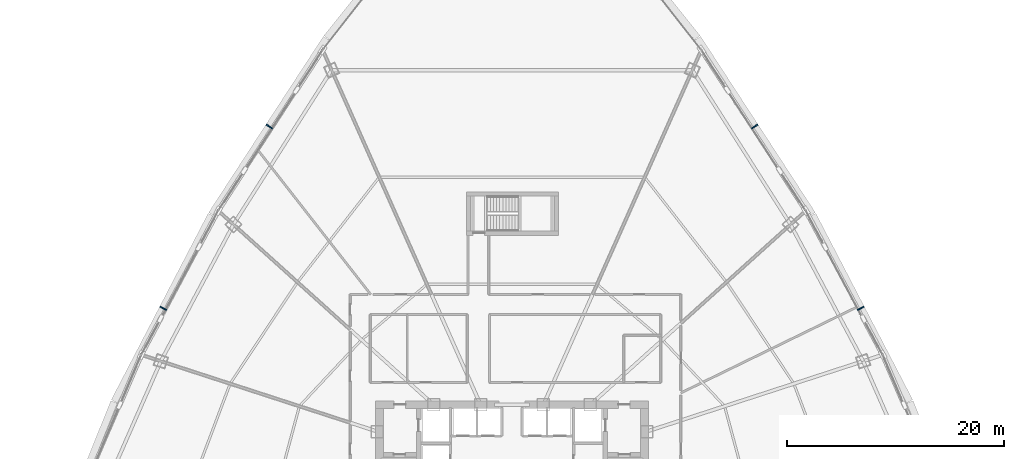
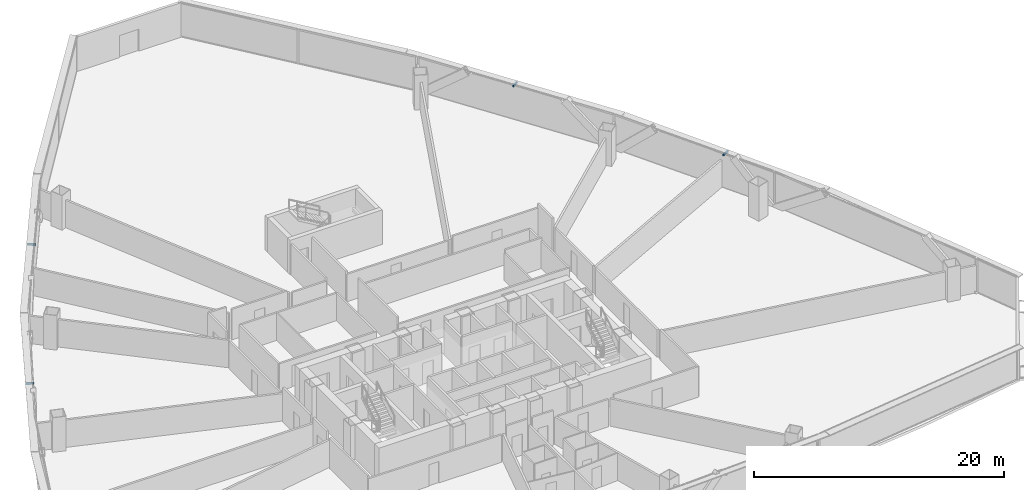
# One storey, part 34 of 38: 4 discrete accessories.
"""IFC4 building model written with IfcOpenShell, lengths in metres."""

from ifc_helpers import new_model, si_unit, direction, frame, origin, origin_2d, place, context, subcontext, project, spatial, rectangle, extrude, source, transform, mapped, material, type_object, element, save


model = new_model("IFC4")

# Units and contexts
model_context = context("Model", 3, precision=1e-05, world=origin(), true_north=direction((0.0, 1.0)))
body_context = subcontext(model_context, "Body", "Model", "MODEL_VIEW")
ifc_project = project(units=[si_unit("LENGTHUNIT", "METRE"), si_unit("AREAUNIT", "SQUARE_METRE"), si_unit("VOLUMEUNIT", "CUBIC_METRE"), si_unit("PLANEANGLEUNIT", "RADIAN"), si_unit("MASSUNIT", "GRAM", prefix="KILO"), si_unit("THERMODYNAMICTEMPERATUREUNIT", "KELVIN"), si_unit("POWERUNIT", "WATT")], contexts=[model_context])

# Site, building, storey
site_placement = place(None, origin())
site = spatial("IfcSite", under=ifc_project, at=site_placement, CompositionType="ELEMENT")
building_placement = place(site_placement, origin())
building = spatial("IfcBuilding", under=site, at=building_placement, Name="Yunzhuo Pagoda Commons", CompositionType="ELEMENT")
storey_placement = place(building_placement, frame((0.0, 0.0, 34.030029296875)))
storey = spatial("IfcBuildingStorey", under=building, at=storey_placement, Name="L08", CompositionType="ELEMENT", Elevation=34.030029296875)

# Discrete accessories
ifc_material = material(Name="Anodized aluminium 6063-T6", Category="aluminium")
discrete_accessory_type = type_object("IfcDiscreteAccessoryType", Name="BK-SUN1 Sunshade Outrigger Bracket", PredefinedType="BRACKET", material=ifc_material)
shared_shape = source(origin(), body_context, "Body", "SweptSolid", [
    extrude(rectangle(XDim=0.1201171875, YDim=0.679931640625, at=origin_2d()), origin(), (0.0, 0.0, 1.0), 0.179931640625),
])
for number, where, z_axis, x_axis, name in (
    (1, (80.11572265625, 49.073974609375, 3.16015625), (0.0, 0.0, 1.0), (-0.461206683033, 0.88729273384, 0.0), "L08 sunshade outrigger bracket F2.2"),
    (2, (70.344482421875, 65.81298828125, 3.16015625), (0.0, 0.0, 1.0), (-0.545838756973, 0.837890238269, 0.0), "L08 sunshade outrigger bracket F2.3"),
    (3, (25.655517578125, 65.81298828125, 3.16015625), (0.0, 0.0, 1.0), (-0.545838756973, -0.837890238269, 0.0), "L08 sunshade outrigger bracket F3.2"),
    (4, (15.88427734375, 49.073974609375, 3.16015625), (0.0, 0.0, 1.0), (-0.461206683033, -0.88729273384, 0.0), "L08 sunshade outrigger bracket F3.3"),
):
    element("IfcDiscreteAccessory", number, at=place(storey_placement, frame(where, z_axis=z_axis, x_axis=x_axis)), inside=storey, type_object=discrete_accessory_type, Name=name, PredefinedType="BRACKET", context=body_context, shape_type="MappedRepresentation", body=[
        mapped(shared_shape, transform((0.0, 0.0, 0.0), scale=1.0)),
    ])

save(model, "model.ifc")
